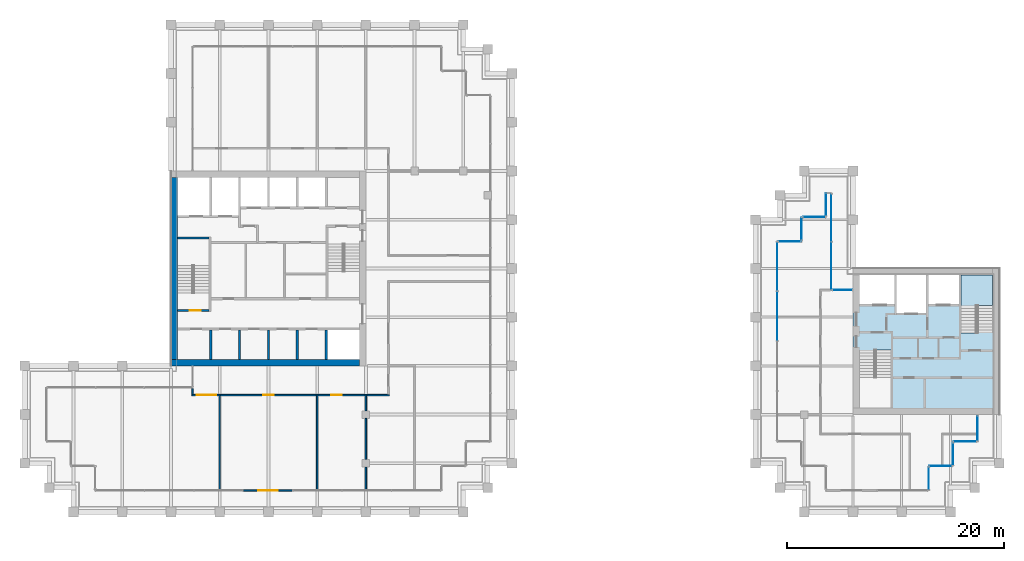
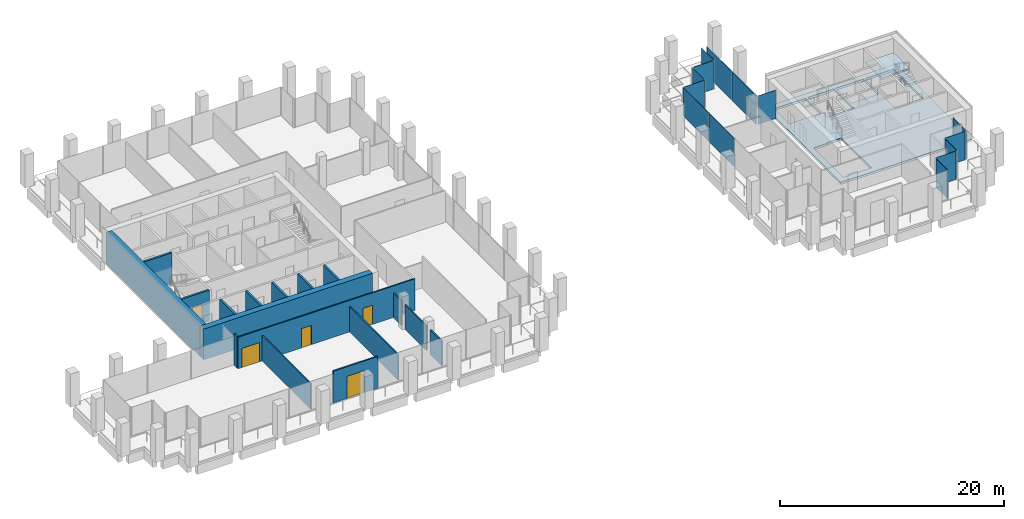
# One storey, part 35 of 40: 17 walls, 14 plates, 5 doors, 2 slabs, 5 openings, 13 elements without a shape of their own.
"""IFC4 building model written with IfcOpenShell, lengths in metres."""

from ifc_helpers import new_model, si_unit, direction, frame, frame_2d, origin, origin_2d, place, context, subcontext, project, spatial, polyline, rectangle, outline, extrude, material, layer, layer_set, type_object, element, fill, aggregate, save


model = new_model("IFC4")

# Units and contexts
model_context = context("Model", 3, precision=1e-05, world=origin(), true_north=direction((0.0, 1.0)))
body_context = subcontext(model_context, "Body", "Model", "MODEL_VIEW")
ifc_project = project(units=[si_unit("LENGTHUNIT", "METRE"), si_unit("AREAUNIT", "SQUARE_METRE"), si_unit("VOLUMEUNIT", "CUBIC_METRE"), si_unit("PLANEANGLEUNIT", "RADIAN"), si_unit("MASSUNIT", "GRAM", prefix="KILO")], contexts=[model_context])

# Site, building, storey
site_placement = place(None, origin())
site = spatial("IfcSite", under=ifc_project, at=site_placement, CompositionType="ELEMENT")
building_placement = place(site_placement, origin())
building = spatial("IfcBuilding", under=site, at=building_placement, Name="Altepetl Exchange Towers", CompositionType="ELEMENT")
storey_placement = place(building_placement, frame((0.0, 0.0, 165.39990234375)))
storey = spatial("IfcBuildingStorey", under=building, at=storey_placement, Name="L41", CompositionType="ELEMENT", Elevation=165.39990234375)

# Slab
ifc_material_1 = material(Name="Concrete C40/50", Category="concrete")
ifc_layer_1 = layer(ifc_material_1, 0.25)
ifc_layer_set_1 = layer_set([ifc_layer_1], Name="Concrete C40/50")
slab_type_1 = type_object("IfcSlabType", Name="Core floor slab 250", PredefinedType="FLOOR", material=ifc_layer_set_1)
slab_1_placement = place(storey_placement, frame((0.0, 0.0, -0.25)))
element("IfcSlab", 1, at=slab_1_placement, inside=storey, type_object=slab_type_1, Name="slab:B:L41:core0", PredefinedType="FLOOR", context=body_context, shape_type="SweptSolid", body=[
    extrude(outline(polyline([(103.5, 36.0), (117.0, 36.0), (117.0, 49.5), (103.5, 49.5), (103.5, 36.0)]), holes=[polyline([(107.0, 36.60009765625), (104.10009765625, 36.60009765625), (104.10009765625, 41.85009765625), (105.5, 41.85009765625), (105.5, 41.948974609375), (107.0, 41.948974609375), (107.0, 36.60009765625)]), polyline([(113.5, 48.89990234375), (116.39990234375, 48.89990234375), (116.39990234375, 43.64990234375), (115.0, 43.64990234375), (115.0, 43.551025390625), (113.5, 43.551025390625), (113.5, 48.89990234375)]), polyline([(107.532958984375, 45.39990234375), (107.532958984375, 48.89990234375), (110.26708984375, 48.89990234375), (110.26708984375, 45.39990234375), (107.532958984375, 45.39990234375)]), polyline([(104.10009765625, 48.89990234375), (107.3330078125, 48.89990234375), (107.3330078125, 46.199951171875), (104.10009765625, 46.199951171875), (104.10009765625, 48.89990234375)]), polyline([(110.467041015625, 48.89990234375), (113.300048828125, 48.89990234375), (113.300048828125, 46.199951171875), (110.467041015625, 46.199951171875), (110.467041015625, 48.89990234375)])]), origin(), (0.0, 0.0, 1.0), 0.25),
])

# Curtain wall, plate
ifc_material_2 = material(Name="Aluminium 6063-T6 glazing", Category="aluminium")
curtain_wall_type = type_object("IfcCurtainWallType", Name="Loggia glazing system", PredefinedType="NOTDEFINED", material=ifc_material_2)
curtain_wall_1_placement = place(storey_placement, origin())
curtain_wall_1 = element("IfcCurtainWall", 2, at=curtain_wall_1_placement, inside=storey, type_object=curtain_wall_type, Name="CW1 run", PredefinedType="NOTDEFINED")
ifc_material_3 = material(Name="Glass 6-16-6 low emissivity", Category="glass")
ifc_layer_2 = layer(ifc_material_3, 0.028076171875)
ifc_layer_set_2 = layer_set([ifc_layer_2], Name="Glass 6-16-6 low emissivity")
plate_type = type_object("IfcPlateType", Name="Glass panel 28 double glazed", PredefinedType="CURTAIN_PANEL", material=ifc_layer_set_2)
plate_1_placement = place(storey_placement, frame((110.5, 30.08740234375, 0.0), z_axis=(0.0, 0.0, 1.0), x_axis=(0.0, 1.0, 0.0)))
plate_1 = element("IfcPlate", 3, at=plate_1_placement, type_object=plate_type, Name="GP1 panel", PredefinedType="CURTAIN_PANEL", context=body_context, shape_type="SweptSolid", body=[
    extrude(rectangle(XDim=2.054931640625, YDim=0.028076171875, at=origin_2d()), origin(), (0.0, 0.0, 1.0), 3.10009765625),
])
aggregate(curtain_wall_1, [plate_1])

curtain_wall_2_placement = place(storey_placement, origin())
curtain_wall_2 = element("IfcCurtainWall", 4, at=curtain_wall_2_placement, inside=storey, type_object=curtain_wall_type, Name="CW1 run", PredefinedType="NOTDEFINED")
plate_2_placement = place(storey_placement, frame((111.58740234375, 31.25, 0.0)))
plate_2 = element("IfcPlate", 5, at=plate_2_placement, type_object=plate_type, Name="GP1 panel", PredefinedType="CURTAIN_PANEL", context=body_context, shape_type="SweptSolid", body=[
    extrude(rectangle(XDim=2.054931640625, YDim=0.028076171875, at=origin_2d()), origin(), (0.0, 0.0, 1.0), 3.10009765625),
])
aggregate(curtain_wall_2, [plate_2])

curtain_wall_3_placement = place(storey_placement, origin())
curtain_wall_3 = element("IfcCurtainWall", 6, at=curtain_wall_3_placement, inside=storey, type_object=curtain_wall_type, Name="CW1 run", PredefinedType="NOTDEFINED")
plate_3_placement = place(storey_placement, frame((112.75, 32.33740234375, 0.0), z_axis=(0.0, 0.0, 1.0), x_axis=(0.0, 1.0, 0.0)))
plate_3 = element("IfcPlate", 7, at=plate_3_placement, type_object=plate_type, Name="GP1 panel", PredefinedType="CURTAIN_PANEL", context=body_context, shape_type="SweptSolid", body=[
    extrude(rectangle(XDim=2.054931640625, YDim=0.028076171875, at=origin_2d()), origin(), (0.0, 0.0, 1.0), 3.10009765625),
])
aggregate(curtain_wall_3, [plate_3])

curtain_wall_4_placement = place(storey_placement, origin())
curtain_wall_4 = element("IfcCurtainWall", 8, at=curtain_wall_4_placement, inside=storey, type_object=curtain_wall_type, Name="CW1 run", PredefinedType="NOTDEFINED")
plate_4_placement = place(storey_placement, frame((113.83740234375, 33.5, 0.0)))
plate_4 = element("IfcPlate", 9, at=plate_4_placement, type_object=plate_type, Name="GP1 panel", PredefinedType="CURTAIN_PANEL", context=body_context, shape_type="SweptSolid", body=[
    extrude(rectangle(XDim=2.054931640625, YDim=0.028076171875, at=origin_2d()), origin(), (0.0, 0.0, 1.0), 3.10009765625),
])
aggregate(curtain_wall_4, [plate_4])

curtain_wall_5_placement = place(storey_placement, origin())
curtain_wall_5 = element("IfcCurtainWall", 10, at=curtain_wall_5_placement, inside=storey, type_object=curtain_wall_type, Name="CW1 run", PredefinedType="NOTDEFINED")
plate_5_placement = place(storey_placement, frame((115.0, 34.71240234375, 0.0), z_axis=(0.0, 0.0, 1.0), x_axis=(0.0, 1.0, 0.0)))
plate_5 = element("IfcPlate", 11, at=plate_5_placement, type_object=plate_type, Name="GP1 panel", PredefinedType="CURTAIN_PANEL", context=body_context, shape_type="SweptSolid", body=[
    extrude(rectangle(XDim=2.304931640625, YDim=0.028076171875, at=origin_2d()), origin(), (0.0, 0.0, 1.0), 3.10009765625),
])
aggregate(curtain_wall_5, [plate_5])

curtain_wall_6_placement = place(storey_placement, origin())
curtain_wall_6 = element("IfcCurtainWall", 12, at=curtain_wall_6_placement, inside=storey, type_object=curtain_wall_type, Name="CW1 run", PredefinedType="NOTDEFINED")
plate_6_placement = place(storey_placement, frame((102.53759765625, 47.5, 0.0), z_axis=(0.0, 0.0, 1.0), x_axis=(-1.0, 0.0, 0.0)))
plate_6 = element("IfcPlate", 13, at=plate_6_placement, type_object=plate_type, Name="GP1 panel", PredefinedType="CURTAIN_PANEL", context=body_context, shape_type="SweptSolid", body=[
    extrude(rectangle(XDim=1.804931640625, YDim=0.028076171875, at=origin_2d()), origin(), (0.0, 0.0, 1.0), 3.10009765625),
])
aggregate(curtain_wall_6, [plate_6])

# Curtain wall, plates
curtain_wall_7_placement = place(storey_placement, origin())
curtain_wall_7 = element("IfcCurtainWall", 14, at=curtain_wall_7_placement, inside=storey, type_object=curtain_wall_type, Name="CW1 run", PredefinedType="NOTDEFINED")
plate_7_placement = place(storey_placement, frame((101.5, 49.746337890625, 0.0), z_axis=(0.0, 0.0, 1.0), x_axis=(0.0, 1.0, 0.0)))
plate_7 = element("IfcPlate", 15, at=plate_7_placement, type_object=plate_type, Name="GP1 panel", PredefinedType="CURTAIN_PANEL", context=body_context, shape_type="SweptSolid", body=[
    extrude(rectangle(XDim=4.37255859375, YDim=0.028076171875, at=origin_2d()), origin(), (0.0, 0.0, 1.0), 3.10009765625),
])
plate_8_placement = place(storey_placement, frame((101.5, 54.1787109375, 0.0), z_axis=(0.0, 0.0, 1.0), x_axis=(0.0, 1.0, 0.0)))
plate_8 = element("IfcPlate", 16, at=plate_8_placement, type_object=plate_type, Name="GP1 panel", PredefinedType="CURTAIN_PANEL", context=body_context, shape_type="SweptSolid", body=[
    extrude(rectangle(XDim=4.37255859375, YDim=0.028076171875, at=origin_2d()), origin(), (0.0, 0.0, 1.0), 3.10009765625),
])
aggregate(curtain_wall_7, [plate_7, plate_8])

# Curtain wall, plate
curtain_wall_8_placement = place(storey_placement, origin())
curtain_wall_8 = element("IfcCurtainWall", 17, at=curtain_wall_8_placement, inside=storey, type_object=curtain_wall_type, Name="CW1 run", PredefinedType="NOTDEFINED")
plate_9_placement = place(storey_placement, frame((101.0, 55.41259765625, 0.0), z_axis=(0.0, 0.0, 1.0), x_axis=(0.0, -1.0, 0.0)))
plate_9 = element("IfcPlate", 18, at=plate_9_placement, type_object=plate_type, Name="GP1 panel", PredefinedType="CURTAIN_PANEL", context=body_context, shape_type="SweptSolid", body=[
    extrude(rectangle(XDim=2.054931640625, YDim=0.028076171875, at=origin_2d()), origin(), (0.0, 0.0, 1.0), 3.10009765625),
])
aggregate(curtain_wall_8, [plate_9])

curtain_wall_9_placement = place(storey_placement, origin())
curtain_wall_9 = element("IfcCurtainWall", 19, at=curtain_wall_9_placement, inside=storey, type_object=curtain_wall_type, Name="CW1 run", PredefinedType="NOTDEFINED")
plate_10_placement = place(storey_placement, frame((99.91259765625, 54.25, 0.0), z_axis=(0.0, 0.0, 1.0), x_axis=(-1.0, 0.0, 0.0)))
plate_10 = element("IfcPlate", 20, at=plate_10_placement, type_object=plate_type, Name="GP1 panel", PredefinedType="CURTAIN_PANEL", context=body_context, shape_type="SweptSolid", body=[
    extrude(rectangle(XDim=2.054931640625, YDim=0.028076171875, at=origin_2d()), origin(), (0.0, 0.0, 1.0), 3.10009765625),
])
aggregate(curtain_wall_9, [plate_10])

curtain_wall_10_placement = place(storey_placement, origin())
curtain_wall_10 = element("IfcCurtainWall", 21, at=curtain_wall_10_placement, inside=storey, type_object=curtain_wall_type, Name="CW1 run", PredefinedType="NOTDEFINED")
plate_11_placement = place(storey_placement, frame((98.75, 53.16259765625, 0.0), z_axis=(0.0, 0.0, 1.0), x_axis=(0.0, -1.0, 0.0)))
plate_11 = element("IfcPlate", 22, at=plate_11_placement, type_object=plate_type, Name="GP1 panel", PredefinedType="CURTAIN_PANEL", context=body_context, shape_type="SweptSolid", body=[
    extrude(rectangle(XDim=2.054931640625, YDim=0.028076171875, at=origin_2d()), origin(), (0.0, 0.0, 1.0), 3.10009765625),
])
aggregate(curtain_wall_10, [plate_11])

curtain_wall_11_placement = place(storey_placement, origin())
curtain_wall_11 = element("IfcCurtainWall", 23, at=curtain_wall_11_placement, inside=storey, type_object=curtain_wall_type, Name="CW1 run", PredefinedType="NOTDEFINED")
plate_12_placement = place(storey_placement, frame((97.66259765625, 52.0, 0.0), z_axis=(0.0, 0.0, 1.0), x_axis=(-1.0, 0.0, 0.0)))
plate_12 = element("IfcPlate", 24, at=plate_12_placement, type_object=plate_type, Name="GP1 panel", PredefinedType="CURTAIN_PANEL", context=body_context, shape_type="SweptSolid", body=[
    extrude(rectangle(XDim=2.054931640625, YDim=0.028076171875, at=origin_2d()), origin(), (0.0, 0.0, 1.0), 3.10009765625),
])
aggregate(curtain_wall_11, [plate_12])

# Curtain wall, plates
curtain_wall_12_placement = place(storey_placement, origin())
curtain_wall_12 = element("IfcCurtainWall", 25, at=curtain_wall_12_placement, inside=storey, type_object=curtain_wall_type, Name="CW1 run", PredefinedType="NOTDEFINED")
plate_13_placement = place(storey_placement, frame((96.5, 49.681884765625, 0.0), z_axis=(0.0, 0.0, 1.0), x_axis=(0.0, -1.0, 0.0)))
plate_13 = element("IfcPlate", 26, at=plate_13_placement, type_object=plate_type, Name="GP1 panel", PredefinedType="CURTAIN_PANEL", context=body_context, shape_type="SweptSolid", body=[
    extrude(rectangle(XDim=4.516357421875, YDim=0.028076171875, at=origin_2d()), origin(), (0.0, 0.0, 1.0), 3.10009765625),
])
plate_14_placement = place(storey_placement, frame((96.5, 45.090576171875, 0.0), z_axis=(0.0, 0.0, 1.0), x_axis=(0.0, -1.0, 0.0)))
plate_14 = element("IfcPlate", 27, at=plate_14_placement, type_object=plate_type, Name="GP1 panel", PredefinedType="CURTAIN_PANEL", context=body_context, shape_type="SweptSolid", body=[
    extrude(rectangle(XDim=4.546142578125, YDim=0.028076171875, at=origin_2d()), origin(), (0.0, 0.0, 1.0), 3.10009765625),
])
aggregate(curtain_wall_12, [plate_13, plate_14])

# Stair, slab
stair_type = type_object("IfcStairType", Name="Exit stair 1400 flights dogleg", PredefinedType="HALF_TURN_STAIR", material=ifc_material_1)
stair_placement = place(storey_placement, origin())
stair = element("IfcStair", 28, at=stair_placement, inside=storey, type_object=stair_type, Name="Exit stair 2", PredefinedType="HALF_TURN_STAIR")
ifc_layer_3 = layer(ifc_material_1, 0.199951171875)
ifc_layer_set_3 = layer_set([ifc_layer_3], Name="Concrete C40/50")
slab_type_2 = type_object("IfcSlabType", Name="Stair landing 200 reinforced concrete", PredefinedType="LANDING", material=ifc_layer_set_3)
slab_2_placement = place(storey_placement, frame((0.0, 0.0, 1.60009765625)))
slab_2 = element("IfcSlab", 29, at=slab_2_placement, type_object=slab_type_2, Name="ST-B2e landing 1", PredefinedType="LANDING", context=body_context, shape_type="SweptSolid", body=[
    extrude(outline(polyline([(114.89990234375, 45.969970703125), (113.5, 45.969970703125), (113.5, 46.070068359375), (113.5, 48.89990234375), (116.39990234375, 48.89990234375), (116.39990234375, 46.070068359375), (116.39990234375, 46.0693359375), (115.0, 46.0693359375), (115.0, 46.070068359375), (114.89990234375, 46.070068359375), (114.89990234375, 45.969970703125)])), origin(), (0.0, 0.0, 1.0), 0.199951171875),
])
aggregate(stair, [slab_2])

# Walls
ifc_material_4 = material(Name="Concrete C70/85", Category="concrete")
ifc_layer_4 = layer(ifc_material_4, 0.60009765625)
ifc_layer_set_4 = layer_set([ifc_layer_4], Name="Concrete C70/85")
wall_type_1 = type_object("IfcWallType", Name="Core wall 600 reinforced concrete", PredefinedType="SHEAR", material=ifc_layer_set_4)
wall_1_placement = place(storey_placement, frame((40.5, 40.800048828125, 0.0)))
element("IfcWall", 30, at=wall_1_placement, inside=storey, type_object=wall_type_1, Name="wall:A:L41:K-coreS", PredefinedType="SHEAR", context=body_context, shape_type="SweptSolid", body=[
    extrude(rectangle(XDim=17.39990234375, YDim=0.60009765625, at=frame_2d((8.699951171875, 0.0))), origin(), (0.0, 0.0, 1.0), 3.35009765625),
])
ifc_layer_5 = layer(ifc_material_4, 0.60009765625)
ifc_layer_set_5 = layer_set([ifc_layer_5], Name="Concrete C70/85")
wall_type_2 = type_object("IfcWallType", Name="Core wall 600 reinforced concrete external", PredefinedType="SHEAR", material=ifc_layer_set_5)
wall_2_placement = place(storey_placement, frame((40.800048828125, 41.10009765625, 0.0), z_axis=(0.0, 0.0, 1.0), x_axis=(0.0, 1.0, 0.0)))
element("IfcWall", 31, at=wall_2_placement, inside=storey, type_object=wall_type_2, Name="wall:A:L41:K-coreW", PredefinedType="SHEAR", context=body_context, shape_type="SweptSolid", body=[
    extrude(rectangle(XDim=16.7998046875, YDim=0.60009765625, at=frame_2d((8.39990234375, 0.0))), origin(), (0.0, 0.0, 1.0), 3.35009765625),
])

# Wall, opening, door
ifc_material_5 = material(Name="Aluminium composite cladding", Category="aluminium")
ifc_layer_6 = layer(ifc_material_5, 0.14990234375)
ifc_layer_set_6 = layer_set([ifc_layer_6], Name="Aluminium composite cladding")
wall_type_3 = type_object("IfcWallType", Name="Infill wall 150 aluminium panel", PredefinedType="SOLIDWALL", material=ifc_layer_set_6)
wall_3_placement = place(storey_placement, frame((47.18212890625, 29.0, 0.0)))
wall_3 = element("IfcWall", 32, at=wall_3_placement, inside=storey, type_object=wall_type_3, Name="Loggia door bay wall", PredefinedType="SOLIDWALL", context=body_context, shape_type="SweptSolid", body=[
    extrude(rectangle(XDim=4.560791015625, YDim=0.14990234375, at=frame_2d((2.2802734375, 0.0))), origin(), (0.0, 0.0, 1.0), 3.4501953125),
])
opening_1_placement = place(wall_3_placement, frame((1.38037109375, 0.0, 0.0)))
opening_1 = element("IfcOpeningElement", 33, at=opening_1_placement, cuts=wall_3, Name="Opening L41.A90", PredefinedType="OPENING", context=body_context, shape_type="SweptSolid", body=[
    extrude(rectangle(XDim=1.800048828125, YDim=2.39990234375, at=frame_2d((0.89990234375, 1.199951171875))), frame((0.0, 0.0849609375, 0.0), z_axis=(0.0, -1.0, 0.0), x_axis=(1.0, 0.0, 0.0)), (0.0, 0.0, 1.0), 0.169921875),
])
ifc_material_6 = material(Name="Aluminium 6063-T6 and glass", Category="aluminium")
door_type_1 = type_object("IfcDoorType", Name="Glazed door pair 1800x2400", OperationType="DOUBLE_DOOR_DOUBLE_SWING", PredefinedType="NOTDEFINED", material=ifc_material_6)
door_1_placement = place(opening_1_placement, frame((1.800048828125, 0.0, 0.0), x_axis=(-1.0, 0.0, 0.0)))
door_1 = element("IfcDoor", 34, at=door_1_placement, inside=storey, type_object=door_type_1, Name="Loggia door", OperationType="DOUBLE_DOOR_DOUBLE_SWING", OverallHeight=2.39990234375, OverallWidth=1.800048828125, PredefinedType="NOTDEFINED", context=body_context, shape_type="SweptSolid", body=[
    extrude(rectangle(XDim=1.800048828125, YDim=2.39990234375, at=frame_2d((0.89990234375, 1.199951171875))), frame((0.0, 0.02490234375, 0.0), z_axis=(0.0, -1.0, 0.0), x_axis=(1.0, 0.0, 0.0)), (0.0, 0.0, 1.0), 0.050048828125),
])
fill(opening_1, door_1)

# Wall, openings, doors
ifc_material_7 = material(Name="Gypsum board on steel studs", Category="steel")
ifc_layer_7 = layer(ifc_material_7, 0.125)
ifc_layer_set_7 = layer_set([ifc_layer_7], Name="Gypsum board on steel studs")
wall_type_4 = type_object("IfcWallType", Name="Partition 125 gypsum board on steel studs", PredefinedType="PARTITIONING", material=ifc_layer_set_7)
wall_4_placement = place(storey_placement, frame((42.4375, 37.800048828125, 0.0)))
wall_4 = element("IfcWall", 35, at=wall_4_placement, inside=storey, type_object=wall_type_4, Name="wall:A:L41:P01", PredefinedType="PARTITIONING", context=body_context, shape_type="SweptSolid", body=[
    extrude(rectangle(XDim=18.22509765625, YDim=0.125, at=frame_2d((9.112548828125, 0.0))), origin(), (0.0, 0.0, 1.0), 3.4501953125),
])
opening_2_placement = place(wall_4_placement, frame((6.5625, 0.0, 0.0)))
opening_2 = element("IfcOpeningElement", 36, at=opening_2_placement, cuts=wall_4, Name="Opening L41.A01", PredefinedType="OPENING", context=body_context, shape_type="SweptSolid", body=[
    extrude(rectangle(XDim=1.0, YDim=2.10009765625, at=frame_2d((0.5, 1.050048828125))), frame((0.0, 0.072509765625, 0.0), z_axis=(0.0, -1.0, 0.0), x_axis=(1.0, 0.0, 0.0)), (0.0, 0.0, 1.0), 0.14501953125),
])
opening_3_placement = place(wall_4_placement, frame((12.857421875, 0.0, 0.0)))
opening_3 = element("IfcOpeningElement", 37, at=opening_3_placement, cuts=wall_4, Name="Opening L41.A02", PredefinedType="OPENING", context=body_context, shape_type="SweptSolid", body=[
    extrude(rectangle(XDim=1.0, YDim=2.10009765625, at=frame_2d((0.5, 1.050048828125))), frame((0.0, 0.072509765625, 0.0), z_axis=(0.0, -1.0, 0.0), x_axis=(1.0, 0.0, 0.0)), (0.0, 0.0, 1.0), 0.14501953125),
])
opening_4_placement = place(wall_4_placement, frame((0.429443359375, 0.0, 0.0)))
opening_4 = element("IfcOpeningElement", 38, at=opening_4_placement, cuts=wall_4, Name="Opening L41.A03", PredefinedType="OPENING", context=body_context, shape_type="SweptSolid", body=[
    extrude(rectangle(XDim=1.800048828125, YDim=2.10009765625, at=frame_2d((0.89990234375, 1.050048828125))), frame((0.0, 0.072509765625, 0.0), z_axis=(0.0, -1.0, 0.0), x_axis=(1.0, 0.0, 0.0)), (0.0, 0.0, 1.0), 0.14501953125),
])
ifc_material_8 = material(Name="Steel and timber fire door", Category="steel")
door_type_2 = type_object("IfcDoorType", Name="Fire door 1000 x 2100 single leaf", OperationType="SINGLE_SWING_LEFT", PredefinedType="DOOR", material=ifc_material_8)
door_2_placement = place(opening_2_placement, frame((1.0, 0.0, 0.0), x_axis=(-1.0, 0.0, 0.0)))
door_2 = element("IfcDoor", 39, at=door_2_placement, inside=storey, type_object=door_type_2, Name="door:A:L41:01", OperationType="SINGLE_SWING_LEFT", OverallHeight=2.10009765625, OverallWidth=1.0, PredefinedType="DOOR", context=body_context, shape_type="SweptSolid", body=[
    extrude(rectangle(XDim=1.0, YDim=2.10009765625, at=frame_2d((0.5, 1.050048828125))), frame((0.0, 0.02490234375, 0.0), z_axis=(0.0, -1.0, 0.0), x_axis=(1.0, 0.0, 0.0)), (0.0, 0.0, 1.0), 0.050048828125),
])
fill(opening_2, door_2)
door_3_placement = place(opening_3_placement, frame((1.0, 0.0, 0.0), x_axis=(-1.0, 0.0, 0.0)))
door_3 = element("IfcDoor", 40, at=door_3_placement, inside=storey, type_object=door_type_2, Name="door:A:L41:02", OperationType="SINGLE_SWING_RIGHT", OverallHeight=2.10009765625, OverallWidth=1.0, PredefinedType="DOOR", context=body_context, shape_type="SweptSolid", body=[
    extrude(rectangle(XDim=1.0, YDim=2.10009765625, at=frame_2d((0.5, 1.050048828125))), frame((0.0, 0.02490234375, 0.0), z_axis=(0.0, -1.0, 0.0), x_axis=(1.0, 0.0, 0.0)), (0.0, 0.0, 1.0), 0.050048828125),
])
fill(opening_3, door_3)
door_type_3 = type_object("IfcDoorType", Name="Fire door 1800 x 2100 double leaf", OperationType="DOUBLE_DOOR_SINGLE_SWING", PredefinedType="DOOR", material=ifc_material_8)
door_4_placement = place(opening_4_placement, frame((1.800048828125, 0.0, 0.0), x_axis=(-1.0, 0.0, 0.0)))
door_4 = element("IfcDoor", 41, at=door_4_placement, inside=storey, type_object=door_type_3, Name="door:A:L41:03", OperationType="DOUBLE_DOOR_SINGLE_SWING", OverallHeight=2.10009765625, OverallWidth=1.800048828125, PredefinedType="DOOR", context=body_context, shape_type="SweptSolid", body=[
    extrude(rectangle(XDim=1.800048828125, YDim=2.10009765625, at=frame_2d((0.89990234375, 1.050048828125))), frame((0.0, 0.02490234375, 0.0), z_axis=(0.0, -1.0, 0.0), x_axis=(1.0, 0.0, 0.0)), (0.0, 0.0, 1.0), 0.050048828125),
])
fill(opening_4, door_4)

# Walls
wall_5_placement = place(storey_placement, frame((42.5, 37.862548828125, 0.0), z_axis=(0.0, 0.0, 1.0), x_axis=(0.0, 1.0, 0.0)))
element("IfcWall", 42, at=wall_5_placement, inside=storey, type_object=wall_type_4, Name="wall:A:L41:P09", PredefinedType="PARTITIONING", context=body_context, shape_type="SweptSolid", body=[
    extrude(rectangle(XDim=0.537353515625, YDim=0.125, at=frame_2d((0.2685546875, 0.0))), origin(), (0.0, 0.0, 1.0), 3.4501953125),
])
for number, where, z_axis, x_axis, name in (
    (43, (45.0, 29.10009765625, 0.0), (0.0, 0.0, 1.0), (0.0, 1.0, 0.0), "wall:A:L41:P10"),
    (44, (54.0, 29.10009765625, 0.0), (0.0, 0.0, 1.0), (0.0, 1.0, 0.0), "wall:A:L41:P12"),
):
    element("IfcWall", number, at=place(storey_placement, frame(where, z_axis=z_axis, x_axis=x_axis)), inside=storey, type_object=wall_type_4, Name=name, PredefinedType="PARTITIONING", context=body_context, shape_type="SweptSolid", body=[
        extrude(rectangle(XDim=8.699951171875, YDim=0.125, at=frame_2d((4.35009765625, 0.0))), origin(), (0.0, 0.0, 1.0), 2.76611328125),
    ])
wall_6_placement = place(storey_placement, frame((58.5, 29.10009765625, 0.0), z_axis=(0.0, 0.0, 1.0), x_axis=(0.0, 1.0, 0.0)))
element("IfcWall", 45, at=wall_6_placement, inside=storey, type_object=wall_type_4, Name="wall:A:L41:P14", PredefinedType="PARTITIONING", context=body_context, shape_type="SweptSolid", body=[
    extrude(rectangle(XDim=2.0498046875, YDim=0.125, at=frame_2d((1.02490234375, 0.0))), origin(), (0.0, 0.0, 1.0), 2.676025390625),
])
wall_7_placement = place(storey_placement, frame((58.5, 31.85009765625, 0.0), z_axis=(0.0, 0.0, 1.0), x_axis=(0.0, 1.0, 0.0)))
element("IfcWall", 46, at=wall_7_placement, inside=storey, type_object=wall_type_4, Name="wall:A:L41:P15", PredefinedType="PARTITIONING", context=body_context, shape_type="SweptSolid", body=[
    extrude(rectangle(XDim=3.7998046875, YDim=0.125, at=frame_2d((1.89990234375, 0.0))), origin(), (0.0, 0.0, 1.0), 2.676025390625),
])
wall_8_placement = place(storey_placement, frame((58.5, 36.35009765625, 0.0), z_axis=(0.0, 0.0, 1.0), x_axis=(0.0, 1.0, 0.0)))
element("IfcWall", 47, at=wall_8_placement, inside=storey, type_object=wall_type_4, Name="wall:A:L41:P16", PredefinedType="PARTITIONING", context=body_context, shape_type="SweptSolid", body=[
    extrude(rectangle(XDim=1.449951171875, YDim=0.125, at=frame_2d((0.72509765625, 0.0))), origin(), (0.0, 0.0, 1.0), 2.676025390625),
])
ifc_layer_8 = layer(ifc_material_1, 0.199951171875)
ifc_layer_set_8 = layer_set([ifc_layer_8], Name="Concrete C40/50")
wall_type_5 = type_object("IfcWallType", Name="Shaft wall 200 reinforced concrete", PredefinedType="SHEAR", material=ifc_layer_set_8)
wall_9_placement = place(storey_placement, frame((54.833251953125, 41.10009765625, 0.0), z_axis=(0.0, 0.0, 1.0), x_axis=(0.0, 1.0, 0.0)))
element("IfcWall", 48, at=wall_9_placement, inside=storey, type_object=wall_type_5, Name="wall:A:L41:K-divS5", PredefinedType="SHEAR", context=body_context, shape_type="SweptSolid", body=[
    extrude(rectangle(XDim=2.699951171875, YDim=0.199951171875, at=frame_2d((1.35009765625, 0.0))), origin(), (0.0, 0.0, 1.0), 3.35009765625),
])
ifc_layer_9 = layer(ifc_material_4, 0.199951171875)
ifc_layer_set_9 = layer_set([ifc_layer_9], Name="Concrete C70/85")
wall_type_6 = type_object("IfcWallType", Name="Shear wall 200 reinforced concrete", PredefinedType="SHEAR", material=ifc_layer_set_9)
for number, where, z_axis, x_axis, name in (
    (49, (44.166748046875, 41.10009765625, 0.0), (0.0, 0.0, 1.0), (0.0, 1.0, 0.0), "wall:A:L41:K-divS1"),
    (50, (46.833251953125, 41.10009765625, 0.0), (0.0, 0.0, 1.0), (0.0, 1.0, 0.0), "wall:A:L41:K-divS2"),
    (51, (49.5, 41.10009765625, 0.0), (0.0, 0.0, 1.0), (0.0, 1.0, 0.0), "wall:A:L41:K-divS3"),
    (52, (52.166748046875, 41.10009765625, 0.0), (0.0, 0.0, 1.0), (0.0, 1.0, 0.0), "wall:A:L41:K-divS4"),
):
    element("IfcWall", number, at=place(storey_placement, frame(where, z_axis=z_axis, x_axis=x_axis)), inside=storey, type_object=wall_type_6, Name=name, PredefinedType="SHEAR", context=body_context, shape_type="SweptSolid", body=[
        extrude(rectangle(XDim=2.699951171875, YDim=0.199951171875, at=frame_2d((1.35009765625, 0.0))), origin(), (0.0, 0.0, 1.0), 3.35009765625),
    ])
ifc_layer_10 = layer(ifc_material_1, 0.199951171875)
ifc_layer_set_10 = layer_set([ifc_layer_10], Name="Concrete C40/50")
wall_type_7 = type_object("IfcWallType", Name="Stair wall 200 reinforced concrete", PredefinedType="SHEAR", material=ifc_layer_set_10)
wall_10_placement = place(storey_placement, frame((41.10009765625, 52.300048828125, 0.0)))
element("IfcWall", 53, at=wall_10_placement, inside=storey, type_object=wall_type_7, Name="wall:A:L41:K-stS1N", PredefinedType="SHEAR", context=body_context, shape_type="SweptSolid", body=[
    extrude(rectangle(XDim=2.89990234375, YDim=0.199951171875, at=frame_2d((1.449951171875, 0.0))), origin(), (0.0, 0.0, 1.0), 3.35009765625),
])

# Wall, opening, door
wall_11_placement = place(storey_placement, frame((41.10009765625, 45.60009765625, 0.0)))
wall_11 = element("IfcWall", 54, at=wall_11_placement, inside=storey, type_object=wall_type_7, Name="wall:A:L41:K-stS1S", PredefinedType="SHEAR", context=body_context, shape_type="SweptSolid", body=[
    extrude(rectangle(XDim=2.89990234375, YDim=0.199951171875, at=frame_2d((1.449951171875, 0.0))), origin(), (0.0, 0.0, 1.0), 3.35009765625),
])
opening_5_placement = place(wall_11_placement, frame((1.14990234375, 0.0, 0.0)))
opening_5 = element("IfcOpeningElement", 55, at=opening_5_placement, cuts=wall_11, Name="Opening L41.A62", PredefinedType="OPENING", context=body_context, shape_type="SweptSolid", body=[
    extrude(rectangle(XDim=1.0, YDim=2.10009765625, at=frame_2d((0.5, 1.050048828125))), frame((0.0, 0.10986328125, 0.0), z_axis=(0.0, -1.0, 0.0), x_axis=(1.0, 0.0, 0.0)), (0.0, 0.0, 1.0), 0.219970703125),
])
door_type_4 = type_object("IfcDoorType", Name="Fire door 1000 x 2100 stair and lobby", OperationType="SINGLE_SWING_LEFT", PredefinedType="DOOR", material=ifc_material_8)
door_5_placement = place(opening_5_placement, origin())
door_5 = element("IfcDoor", 56, at=door_5_placement, inside=storey, type_object=door_type_4, Name="door:A:L41:K-dS1in", OperationType="SINGLE_SWING_RIGHT", OverallHeight=2.10009765625, OverallWidth=1.0, PredefinedType="DOOR", context=body_context, shape_type="SweptSolid", body=[
    extrude(rectangle(XDim=1.0, YDim=2.10009765625, at=frame_2d((0.5, 1.050048828125))), frame((0.0, 0.02490234375, 0.0), z_axis=(0.0, -1.0, 0.0), x_axis=(1.0, 0.0, 0.0)), (0.0, 0.0, 1.0), 0.050048828125),
])
fill(opening_5, door_5)

save(model, "model.ifc")
